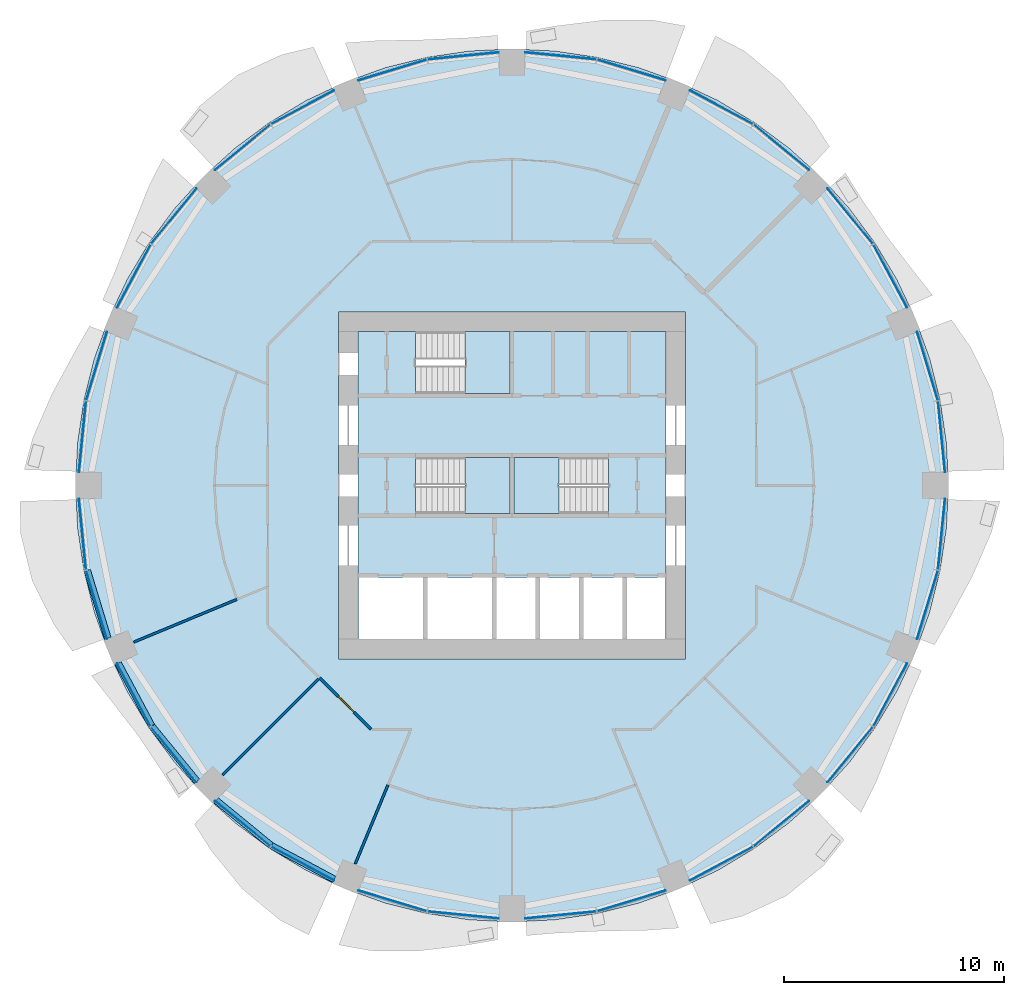
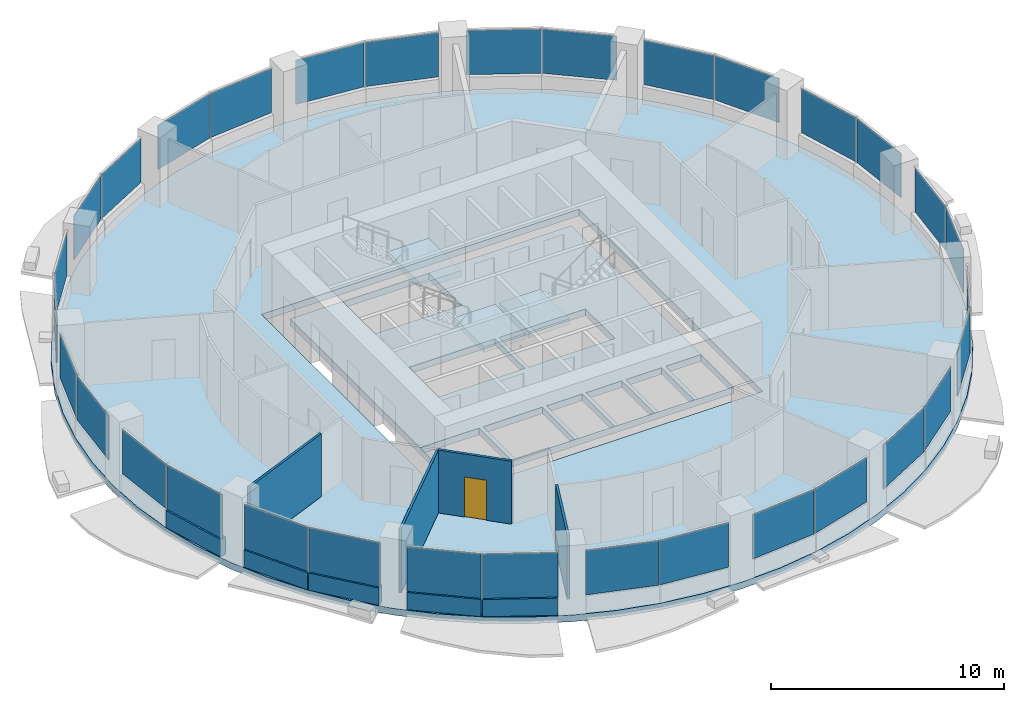
# One storey, part 7 of 15: 32 plates, 9 walls, 5 slabs, 1 door, 1 opening, 19 elements without a shape of their own.
"""IFC4 building model written with IfcOpenShell, lengths in metres."""

from ifc_helpers import new_model, si_unit, direction, frame, frame_2d, origin, origin_2d, place, context, subcontext, project, spatial, polyline, rectangle, outline, extrude, material, layer, layer_set, type_object, element, fill, aggregate, save


model = new_model("IFC4")

# Units and contexts
model_context = context("Model", 3, precision=1e-05, world=origin(), true_north=direction((0.0, 1.0)))
body_context = subcontext(model_context, "Body", "Model", "MODEL_VIEW")
ifc_project = project(units=[si_unit("LENGTHUNIT", "METRE"), si_unit("AREAUNIT", "SQUARE_METRE"), si_unit("VOLUMEUNIT", "CUBIC_METRE"), si_unit("PLANEANGLEUNIT", "RADIAN"), si_unit("MASSUNIT", "GRAM", prefix="KILO")], contexts=[model_context])

# Site, building, storey
site_placement = place(None, origin())
site = spatial("IfcSite", under=ifc_project, at=site_placement, CompositionType="ELEMENT")
building_placement = place(site_placement, origin())
building = spatial("IfcBuilding", under=site, at=building_placement, Name="Polderwave Tower", CompositionType="ELEMENT")
storey_placement = place(building_placement, frame((0.0, 0.0, 26.199951171875)))
storey = spatial("IfcBuildingStorey", under=building, at=storey_placement, Name="L06", CompositionType="ELEMENT", Elevation=26.199951171875)

# Slab
ifc_material_1 = material(Name="Concrete C40/50", Category="concrete")
ifc_layer_1 = layer(ifc_material_1, 0.35009765625)
ifc_layer_set_1 = layer_set([ifc_layer_1], Name="Core floor slab 350")
slab_type_1 = type_object("IfcSlabType", Name="Core floor slab 350", PredefinedType="FLOOR", material=ifc_layer_set_1)
slab_1_placement = place(storey_placement, frame((0.0, 0.0, -0.349853515625)))
element("IfcSlab", 1, at=slab_1_placement, inside=storey, type_object=slab_type_1, Name="L06 core floor", PredefinedType="FLOOR", context=body_context, shape_type="SweptSolid", body=[
    extrude(outline(polyline([(-6.97412109375, -6.97412109375), (6.97412109375, -6.97412109375), (6.97412109375, 6.97412109375), (-6.97412109375, 6.97412109375), (-6.97412109375, -6.97412109375)]), holes=[polyline([(-6.9541015625, -6.9541015625), (-4.037109375, -6.9541015625), (-4.037109375, -4.174072265625), (-6.9541015625, -4.174072265625), (-6.9541015625, -6.9541015625)]), polyline([(-3.8369140625, -6.9541015625), (-0.89990234375, -6.9541015625), (-0.89990234375, -4.174072265625), (-3.8369140625, -4.174072265625), (-3.8369140625, -6.9541015625)]), polyline([(-0.699951171875, -6.9541015625), (1.068603515625, -6.9541015625), (1.068603515625, -4.174072265625), (-0.699951171875, -4.174072265625), (-0.699951171875, -6.9541015625)]), polyline([(1.2685546875, -6.9541015625), (3.037109375, -6.9541015625), (3.037109375, -4.174072265625), (1.2685546875, -4.174072265625), (1.2685546875, -6.9541015625)]), polyline([(3.237060546875, -6.9541015625), (5.005615234375, -6.9541015625), (5.005615234375, -4.174072265625), (3.237060546875, -4.174072265625), (3.237060546875, -6.9541015625)]), polyline([(5.20556640625, -6.9541015625), (6.9541015625, -6.9541015625), (6.9541015625, -4.174072265625), (5.20556640625, -4.174072265625), (5.20556640625, -6.9541015625)]), polyline([(-4.37353515625, -1.2744140625), (-0.1005859375, -1.2744140625), (-0.1005859375, 1.2744140625), (-4.37353515625, 1.2744140625), (-4.37353515625, -1.2744140625)]), polyline([(0.1005859375, -1.2744140625), (4.37353515625, -1.2744140625), (4.37353515625, 1.2744140625), (0.1005859375, 1.2744140625), (0.1005859375, -1.2744140625)]), polyline([(-4.37353515625, 4.174560546875), (-0.1005859375, 4.174560546875), (-0.1005859375, 6.9541015625), (-4.37353515625, 6.9541015625), (-4.37353515625, 4.174560546875)])]), origin(), (0.0, 0.0, 1.0), 0.349853515625),
])

# Curtain wall, plates
ifc_material_2 = material(Name="Aluminium 6063-T6 and glass", Category="aluminium")
curtain_wall_type = type_object("IfcCurtainWallType", Name="Growing floor ribbon glazing wall", PredefinedType="NOTDEFINED", material=ifc_material_2)
curtain_wall_1_placement = place(storey_placement, origin())
curtain_wall_1 = element("IfcCurtainWall", 2, at=curtain_wall_1_placement, inside=storey, type_object=curtain_wall_type, Name="CW2 L06 00", PredefinedType="NOTDEFINED")
ifc_material_3 = material(Name="Glass, low-e laminated double glazing", Category="glass")
ifc_layer_2 = layer(ifc_material_3, 0.028076171875)
ifc_layer_set_2 = layer_set([ifc_layer_2], Name="Growing floor ribbon glazing glass panel 28 mm")
plate_type = type_object("IfcPlateType", Name="Growing floor ribbon glazing glass panel 28 mm", PredefinedType="CURTAIN_PANEL", material=ifc_layer_set_2)
plate_1_placement = place(storey_placement, frame((19.482421875, 2.20654296875, 0.89990234375), z_axis=(0.0, 0.0, 1.0), x_axis=(-0.098197778915, 0.995166918771, 0.0)))
plate_1 = element("IfcPlate", 3, at=plate_1_placement, type_object=plate_type, Name="CW2 panel 1", PredefinedType="CURTAIN_PANEL", context=body_context, shape_type="SweptSolid", body=[
    extrude(rectangle(XDim=3.228759765625, YDim=0.028076171875, at=origin_2d()), origin(), (0.0, 0.0, 1.0), 2.320068359375),
])
plate_2_placement = place(storey_placement, frame((18.843505859375, 5.4169921875, 0.89990234375), z_axis=(0.0, 0.0, 1.0), x_axis=(-0.290246262973, 0.956951987735, 0.0)))
plate_2 = element("IfcPlate", 4, at=plate_2_placement, type_object=plate_type, Name="CW2 panel 2", PredefinedType="CURTAIN_PANEL", context=body_context, shape_type="SweptSolid", body=[
    extrude(rectangle(XDim=3.229248046875, YDim=0.028076171875, at=origin_2d()), origin(), (0.0, 0.0, 1.0), 2.320068359375),
])
aggregate(curtain_wall_1, [plate_1, plate_2])

curtain_wall_2_placement = place(storey_placement, origin())
curtain_wall_2 = element("IfcCurtainWall", 5, at=curtain_wall_2_placement, inside=storey, type_object=curtain_wall_type, Name="CW2 L06 01", PredefinedType="NOTDEFINED")
plate_3_placement = place(storey_placement, frame((17.155029296875, 9.494873046875, 0.89990234375), z_axis=(0.0, 0.0, 1.0), x_axis=(-0.471352098176, 0.881945122752, 0.0)))
plate_3 = element("IfcPlate", 6, at=plate_3_placement, type_object=plate_type, Name="CW2 panel 1", PredefinedType="CURTAIN_PANEL", context=body_context, shape_type="SweptSolid", body=[
    extrude(rectangle(XDim=3.228759765625, YDim=0.028076171875, at=origin_2d()), origin(), (0.0, 0.0, 1.0), 2.320068359375),
])
plate_4_placement = place(storey_placement, frame((15.33642578125, 12.216064453125, 0.89990234375), z_axis=(0.0, 0.0, 1.0), x_axis=(-0.634524143374, 0.772903041445, 0.0)))
plate_4 = element("IfcPlate", 7, at=plate_4_placement, type_object=plate_type, Name="CW2 panel 2", PredefinedType="CURTAIN_PANEL", context=body_context, shape_type="SweptSolid", body=[
    extrude(rectangle(XDim=3.22900390625, YDim=0.028076171875, at=origin_2d()), origin(), (0.0, 0.0, 1.0), 2.320068359375),
])
aggregate(curtain_wall_2, [plate_3, plate_4])

curtain_wall_3_placement = place(storey_placement, origin())
curtain_wall_3 = element("IfcCurtainWall", 8, at=curtain_wall_3_placement, inside=storey, type_object=curtain_wall_type, Name="CW2 L06 02", PredefinedType="NOTDEFINED")
plate_5_placement = place(storey_placement, frame((12.216064453125, 15.33642578125, 0.89990234375), z_axis=(0.0, 0.0, 1.0), x_axis=(-0.772903041445, 0.634524143374, 0.0)))
plate_5 = element("IfcPlate", 9, at=plate_5_placement, type_object=plate_type, Name="CW2 panel 1", PredefinedType="CURTAIN_PANEL", context=body_context, shape_type="SweptSolid", body=[
    extrude(rectangle(XDim=3.22900390625, YDim=0.028076171875, at=origin_2d()), origin(), (0.0, 0.0, 1.0), 2.320068359375),
])
plate_6_placement = place(storey_placement, frame((9.494873046875, 17.155029296875, 0.89990234375), z_axis=(0.0, 0.0, 1.0), x_axis=(-0.881945122752, 0.471352098176, 0.0)))
plate_6 = element("IfcPlate", 10, at=plate_6_placement, type_object=plate_type, Name="CW2 panel 2", PredefinedType="CURTAIN_PANEL", context=body_context, shape_type="SweptSolid", body=[
    extrude(rectangle(XDim=3.228759765625, YDim=0.028076171875, at=origin_2d()), origin(), (0.0, 0.0, 1.0), 2.320068359375),
])
aggregate(curtain_wall_3, [plate_5, plate_6])

curtain_wall_4_placement = place(storey_placement, origin())
curtain_wall_4 = element("IfcCurtainWall", 11, at=curtain_wall_4_placement, inside=storey, type_object=curtain_wall_type, Name="CW2 L06 03", PredefinedType="NOTDEFINED")
plate_7_placement = place(storey_placement, frame((5.4169921875, 18.843505859375, 0.89990234375), z_axis=(0.0, 0.0, 1.0), x_axis=(-0.956951987735, 0.290246262973, 0.0)))
plate_7 = element("IfcPlate", 12, at=plate_7_placement, type_object=plate_type, Name="CW2 panel 1", PredefinedType="CURTAIN_PANEL", context=body_context, shape_type="SweptSolid", body=[
    extrude(rectangle(XDim=3.229248046875, YDim=0.028076171875, at=origin_2d()), origin(), (0.0, 0.0, 1.0), 2.320068359375),
])
plate_8_placement = place(storey_placement, frame((2.20654296875, 19.482421875, 0.89990234375), z_axis=(0.0, 0.0, 1.0), x_axis=(-0.995166918771, 0.098197778915, 0.0)))
plate_8 = element("IfcPlate", 13, at=plate_8_placement, type_object=plate_type, Name="CW2 panel 2", PredefinedType="CURTAIN_PANEL", context=body_context, shape_type="SweptSolid", body=[
    extrude(rectangle(XDim=3.228759765625, YDim=0.028076171875, at=origin_2d()), origin(), (0.0, 0.0, 1.0), 2.320068359375),
])
aggregate(curtain_wall_4, [plate_7, plate_8])

curtain_wall_5_placement = place(storey_placement, origin())
curtain_wall_5 = element("IfcCurtainWall", 14, at=curtain_wall_5_placement, inside=storey, type_object=curtain_wall_type, Name="CW2 L06 04", PredefinedType="NOTDEFINED")
plate_9_placement = place(storey_placement, frame((-2.20654296875, 19.482421875, 0.89990234375), z_axis=(0.0, 0.0, 1.0), x_axis=(-0.995166918771, -0.098197778915, 0.0)))
plate_9 = element("IfcPlate", 15, at=plate_9_placement, type_object=plate_type, Name="CW2 panel 1", PredefinedType="CURTAIN_PANEL", context=body_context, shape_type="SweptSolid", body=[
    extrude(rectangle(XDim=3.228759765625, YDim=0.028076171875, at=origin_2d()), origin(), (0.0, 0.0, 1.0), 2.320068359375),
])
plate_10_placement = place(storey_placement, frame((-5.4169921875, 18.843505859375, 0.89990234375), z_axis=(0.0, 0.0, 1.0), x_axis=(-0.956951987735, -0.290246262973, 0.0)))
plate_10 = element("IfcPlate", 16, at=plate_10_placement, type_object=plate_type, Name="CW2 panel 2", PredefinedType="CURTAIN_PANEL", context=body_context, shape_type="SweptSolid", body=[
    extrude(rectangle(XDim=3.229248046875, YDim=0.028076171875, at=origin_2d()), origin(), (0.0, 0.0, 1.0), 2.320068359375),
])
aggregate(curtain_wall_5, [plate_9, plate_10])

curtain_wall_6_placement = place(storey_placement, origin())
curtain_wall_6 = element("IfcCurtainWall", 17, at=curtain_wall_6_placement, inside=storey, type_object=curtain_wall_type, Name="CW2 L06 05", PredefinedType="NOTDEFINED")
plate_11_placement = place(storey_placement, frame((-9.494873046875, 17.155029296875, 0.89990234375), z_axis=(0.0, 0.0, 1.0), x_axis=(-0.881945122752, -0.471352098176, 0.0)))
plate_11 = element("IfcPlate", 18, at=plate_11_placement, type_object=plate_type, Name="CW2 panel 1", PredefinedType="CURTAIN_PANEL", context=body_context, shape_type="SweptSolid", body=[
    extrude(rectangle(XDim=3.228759765625, YDim=0.028076171875, at=origin_2d()), origin(), (0.0, 0.0, 1.0), 2.320068359375),
])
plate_12_placement = place(storey_placement, frame((-12.216064453125, 15.33642578125, 0.89990234375), z_axis=(0.0, 0.0, 1.0), x_axis=(-0.772903041445, -0.634524143374, 0.0)))
plate_12 = element("IfcPlate", 19, at=plate_12_placement, type_object=plate_type, Name="CW2 panel 2", PredefinedType="CURTAIN_PANEL", context=body_context, shape_type="SweptSolid", body=[
    extrude(rectangle(XDim=3.22900390625, YDim=0.028076171875, at=origin_2d()), origin(), (0.0, 0.0, 1.0), 2.320068359375),
])
aggregate(curtain_wall_6, [plate_11, plate_12])

curtain_wall_7_placement = place(storey_placement, origin())
curtain_wall_7 = element("IfcCurtainWall", 20, at=curtain_wall_7_placement, inside=storey, type_object=curtain_wall_type, Name="CW2 L06 06", PredefinedType="NOTDEFINED")
plate_13_placement = place(storey_placement, frame((-15.33642578125, 12.216064453125, 0.89990234375), z_axis=(0.0, 0.0, 1.0), x_axis=(-0.634524143374, -0.772903041445, 0.0)))
plate_13 = element("IfcPlate", 21, at=plate_13_placement, type_object=plate_type, Name="CW2 panel 1", PredefinedType="CURTAIN_PANEL", context=body_context, shape_type="SweptSolid", body=[
    extrude(rectangle(XDim=3.22900390625, YDim=0.028076171875, at=origin_2d()), origin(), (0.0, 0.0, 1.0), 2.320068359375),
])
plate_14_placement = place(storey_placement, frame((-17.155029296875, 9.494873046875, 0.89990234375), z_axis=(0.0, 0.0, 1.0), x_axis=(-0.471352098176, -0.881945122752, 0.0)))
plate_14 = element("IfcPlate", 22, at=plate_14_placement, type_object=plate_type, Name="CW2 panel 2", PredefinedType="CURTAIN_PANEL", context=body_context, shape_type="SweptSolid", body=[
    extrude(rectangle(XDim=3.228759765625, YDim=0.028076171875, at=origin_2d()), origin(), (0.0, 0.0, 1.0), 2.320068359375),
])
aggregate(curtain_wall_7, [plate_13, plate_14])

curtain_wall_8_placement = place(storey_placement, origin())
curtain_wall_8 = element("IfcCurtainWall", 23, at=curtain_wall_8_placement, inside=storey, type_object=curtain_wall_type, Name="CW2 L06 07", PredefinedType="NOTDEFINED")
plate_15_placement = place(storey_placement, frame((-18.843505859375, 5.4169921875, 0.89990234375), z_axis=(0.0, 0.0, 1.0), x_axis=(-0.290246262973, -0.956951987735, 0.0)))
plate_15 = element("IfcPlate", 24, at=plate_15_placement, type_object=plate_type, Name="CW2 panel 1", PredefinedType="CURTAIN_PANEL", context=body_context, shape_type="SweptSolid", body=[
    extrude(rectangle(XDim=3.229248046875, YDim=0.028076171875, at=origin_2d()), origin(), (0.0, 0.0, 1.0), 2.320068359375),
])
plate_16_placement = place(storey_placement, frame((-19.482421875, 2.20654296875, 0.89990234375), z_axis=(0.0, 0.0, 1.0), x_axis=(-0.098197778915, -0.995166918771, 0.0)))
plate_16 = element("IfcPlate", 25, at=plate_16_placement, type_object=plate_type, Name="CW2 panel 2", PredefinedType="CURTAIN_PANEL", context=body_context, shape_type="SweptSolid", body=[
    extrude(rectangle(XDim=3.228759765625, YDim=0.028076171875, at=origin_2d()), origin(), (0.0, 0.0, 1.0), 2.320068359375),
])
aggregate(curtain_wall_8, [plate_15, plate_16])

curtain_wall_9_placement = place(storey_placement, origin())
curtain_wall_9 = element("IfcCurtainWall", 26, at=curtain_wall_9_placement, inside=storey, type_object=curtain_wall_type, Name="CW2 L06 08", PredefinedType="NOTDEFINED")
plate_17_placement = place(storey_placement, frame((-19.482421875, -2.20654296875, 0.89990234375), z_axis=(0.0, 0.0, 1.0), x_axis=(0.098197778915, -0.995166918771, 0.0)))
plate_17 = element("IfcPlate", 27, at=plate_17_placement, type_object=plate_type, Name="CW2 panel 1", PredefinedType="CURTAIN_PANEL", context=body_context, shape_type="SweptSolid", body=[
    extrude(rectangle(XDim=3.228759765625, YDim=0.028076171875, at=origin_2d()), origin(), (0.0, 0.0, 1.0), 2.320068359375),
])
plate_18_placement = place(storey_placement, frame((-18.843505859375, -5.4169921875, 0.89990234375), z_axis=(0.0, 0.0, 1.0), x_axis=(0.290246262973, -0.956951987735, 0.0)))
plate_18 = element("IfcPlate", 28, at=plate_18_placement, type_object=plate_type, Name="CW2 panel 2", PredefinedType="CURTAIN_PANEL", context=body_context, shape_type="SweptSolid", body=[
    extrude(rectangle(XDim=3.229248046875, YDim=0.028076171875, at=origin_2d()), origin(), (0.0, 0.0, 1.0), 2.320068359375),
])
aggregate(curtain_wall_9, [plate_17, plate_18])

curtain_wall_10_placement = place(storey_placement, origin())
curtain_wall_10 = element("IfcCurtainWall", 29, at=curtain_wall_10_placement, inside=storey, type_object=curtain_wall_type, Name="CW2 L06 09", PredefinedType="NOTDEFINED")
plate_19_placement = place(storey_placement, frame((-17.155029296875, -9.494873046875, 0.89990234375), z_axis=(0.0, 0.0, 1.0), x_axis=(0.471352098176, -0.881945122752, 0.0)))
plate_19 = element("IfcPlate", 30, at=plate_19_placement, type_object=plate_type, Name="CW2 panel 1", PredefinedType="CURTAIN_PANEL", context=body_context, shape_type="SweptSolid", body=[
    extrude(rectangle(XDim=3.228759765625, YDim=0.028076171875, at=origin_2d()), origin(), (0.0, 0.0, 1.0), 2.320068359375),
])
plate_20_placement = place(storey_placement, frame((-15.33642578125, -12.216064453125, 0.89990234375), z_axis=(0.0, 0.0, 1.0), x_axis=(0.634524143374, -0.772903041445, 0.0)))
plate_20 = element("IfcPlate", 31, at=plate_20_placement, type_object=plate_type, Name="CW2 panel 2", PredefinedType="CURTAIN_PANEL", context=body_context, shape_type="SweptSolid", body=[
    extrude(rectangle(XDim=3.22900390625, YDim=0.028076171875, at=origin_2d()), origin(), (0.0, 0.0, 1.0), 2.320068359375),
])
aggregate(curtain_wall_10, [plate_19, plate_20])

curtain_wall_11_placement = place(storey_placement, origin())
curtain_wall_11 = element("IfcCurtainWall", 32, at=curtain_wall_11_placement, inside=storey, type_object=curtain_wall_type, Name="CW2 L06 10", PredefinedType="NOTDEFINED")
plate_21_placement = place(storey_placement, frame((-12.216064453125, -15.33642578125, 0.89990234375), z_axis=(0.0, 0.0, 1.0), x_axis=(0.772903041445, -0.634524143374, 0.0)))
plate_21 = element("IfcPlate", 33, at=plate_21_placement, type_object=plate_type, Name="CW2 panel 1", PredefinedType="CURTAIN_PANEL", context=body_context, shape_type="SweptSolid", body=[
    extrude(rectangle(XDim=3.22900390625, YDim=0.028076171875, at=origin_2d()), origin(), (0.0, 0.0, 1.0), 2.320068359375),
])
plate_22_placement = place(storey_placement, frame((-9.494873046875, -17.155029296875, 0.89990234375), z_axis=(0.0, 0.0, 1.0), x_axis=(0.881945122752, -0.471352098176, 0.0)))
plate_22 = element("IfcPlate", 34, at=plate_22_placement, type_object=plate_type, Name="CW2 panel 2", PredefinedType="CURTAIN_PANEL", context=body_context, shape_type="SweptSolid", body=[
    extrude(rectangle(XDim=3.228759765625, YDim=0.028076171875, at=origin_2d()), origin(), (0.0, 0.0, 1.0), 2.320068359375),
])
aggregate(curtain_wall_11, [plate_21, plate_22])

curtain_wall_12_placement = place(storey_placement, origin())
curtain_wall_12 = element("IfcCurtainWall", 35, at=curtain_wall_12_placement, inside=storey, type_object=curtain_wall_type, Name="CW2 L06 11", PredefinedType="NOTDEFINED")
plate_23_placement = place(storey_placement, frame((-5.4169921875, -18.843505859375, 0.89990234375), z_axis=(0.0, 0.0, 1.0), x_axis=(0.956951987735, -0.290246262973, 0.0)))
plate_23 = element("IfcPlate", 36, at=plate_23_placement, type_object=plate_type, Name="CW2 panel 1", PredefinedType="CURTAIN_PANEL", context=body_context, shape_type="SweptSolid", body=[
    extrude(rectangle(XDim=3.229248046875, YDim=0.028076171875, at=origin_2d()), origin(), (0.0, 0.0, 1.0), 2.320068359375),
])
plate_24_placement = place(storey_placement, frame((-2.20654296875, -19.482421875, 0.89990234375), z_axis=(0.0, 0.0, 1.0), x_axis=(0.995166918771, -0.098197778915, 0.0)))
plate_24 = element("IfcPlate", 37, at=plate_24_placement, type_object=plate_type, Name="CW2 panel 2", PredefinedType="CURTAIN_PANEL", context=body_context, shape_type="SweptSolid", body=[
    extrude(rectangle(XDim=3.228759765625, YDim=0.028076171875, at=origin_2d()), origin(), (0.0, 0.0, 1.0), 2.320068359375),
])
aggregate(curtain_wall_12, [plate_23, plate_24])

curtain_wall_13_placement = place(storey_placement, origin())
curtain_wall_13 = element("IfcCurtainWall", 38, at=curtain_wall_13_placement, inside=storey, type_object=curtain_wall_type, Name="CW2 L06 12", PredefinedType="NOTDEFINED")
plate_25_placement = place(storey_placement, frame((2.20654296875, -19.482421875, 0.89990234375), z_axis=(0.0, 0.0, 1.0), x_axis=(0.995166918771, 0.098197778915, 0.0)))
plate_25 = element("IfcPlate", 39, at=plate_25_placement, type_object=plate_type, Name="CW2 panel 1", PredefinedType="CURTAIN_PANEL", context=body_context, shape_type="SweptSolid", body=[
    extrude(rectangle(XDim=3.228759765625, YDim=0.028076171875, at=origin_2d()), origin(), (0.0, 0.0, 1.0), 2.320068359375),
])
plate_26_placement = place(storey_placement, frame((5.4169921875, -18.843505859375, 0.89990234375), z_axis=(0.0, 0.0, 1.0), x_axis=(0.956951987735, 0.290246262973, 0.0)))
plate_26 = element("IfcPlate", 40, at=plate_26_placement, type_object=plate_type, Name="CW2 panel 2", PredefinedType="CURTAIN_PANEL", context=body_context, shape_type="SweptSolid", body=[
    extrude(rectangle(XDim=3.229248046875, YDim=0.028076171875, at=origin_2d()), origin(), (0.0, 0.0, 1.0), 2.320068359375),
])
aggregate(curtain_wall_13, [plate_25, plate_26])

curtain_wall_14_placement = place(storey_placement, origin())
curtain_wall_14 = element("IfcCurtainWall", 41, at=curtain_wall_14_placement, inside=storey, type_object=curtain_wall_type, Name="CW2 L06 13", PredefinedType="NOTDEFINED")
plate_27_placement = place(storey_placement, frame((9.494873046875, -17.155029296875, 0.89990234375), z_axis=(0.0, 0.0, 1.0), x_axis=(0.881945122752, 0.471352098176, 0.0)))
plate_27 = element("IfcPlate", 42, at=plate_27_placement, type_object=plate_type, Name="CW2 panel 1", PredefinedType="CURTAIN_PANEL", context=body_context, shape_type="SweptSolid", body=[
    extrude(rectangle(XDim=3.228759765625, YDim=0.028076171875, at=origin_2d()), origin(), (0.0, 0.0, 1.0), 2.320068359375),
])
plate_28_placement = place(storey_placement, frame((12.216064453125, -15.33642578125, 0.89990234375), z_axis=(0.0, 0.0, 1.0), x_axis=(0.772903041445, 0.634524143374, 0.0)))
plate_28 = element("IfcPlate", 43, at=plate_28_placement, type_object=plate_type, Name="CW2 panel 2", PredefinedType="CURTAIN_PANEL", context=body_context, shape_type="SweptSolid", body=[
    extrude(rectangle(XDim=3.22900390625, YDim=0.028076171875, at=origin_2d()), origin(), (0.0, 0.0, 1.0), 2.320068359375),
])
aggregate(curtain_wall_14, [plate_27, plate_28])

curtain_wall_15_placement = place(storey_placement, origin())
curtain_wall_15 = element("IfcCurtainWall", 44, at=curtain_wall_15_placement, inside=storey, type_object=curtain_wall_type, Name="CW2 L06 14", PredefinedType="NOTDEFINED")
plate_29_placement = place(storey_placement, frame((15.33642578125, -12.216064453125, 0.89990234375), z_axis=(0.0, 0.0, 1.0), x_axis=(0.634524143374, 0.772903041445, 0.0)))
plate_29 = element("IfcPlate", 45, at=plate_29_placement, type_object=plate_type, Name="CW2 panel 1", PredefinedType="CURTAIN_PANEL", context=body_context, shape_type="SweptSolid", body=[
    extrude(rectangle(XDim=3.22900390625, YDim=0.028076171875, at=origin_2d()), origin(), (0.0, 0.0, 1.0), 2.320068359375),
])
plate_30_placement = place(storey_placement, frame((17.155029296875, -9.494873046875, 0.89990234375), z_axis=(0.0, 0.0, 1.0), x_axis=(0.471352098176, 0.881945122752, 0.0)))
plate_30 = element("IfcPlate", 46, at=plate_30_placement, type_object=plate_type, Name="CW2 panel 2", PredefinedType="CURTAIN_PANEL", context=body_context, shape_type="SweptSolid", body=[
    extrude(rectangle(XDim=3.228759765625, YDim=0.028076171875, at=origin_2d()), origin(), (0.0, 0.0, 1.0), 2.320068359375),
])
aggregate(curtain_wall_15, [plate_29, plate_30])

curtain_wall_16_placement = place(storey_placement, origin())
curtain_wall_16 = element("IfcCurtainWall", 47, at=curtain_wall_16_placement, inside=storey, type_object=curtain_wall_type, Name="CW2 L06 15", PredefinedType="NOTDEFINED")
plate_31_placement = place(storey_placement, frame((18.843505859375, -5.4169921875, 0.89990234375), z_axis=(0.0, 0.0, 1.0), x_axis=(0.290246262973, 0.956951987735, 0.0)))
plate_31 = element("IfcPlate", 48, at=plate_31_placement, type_object=plate_type, Name="CW2 panel 1", PredefinedType="CURTAIN_PANEL", context=body_context, shape_type="SweptSolid", body=[
    extrude(rectangle(XDim=3.229248046875, YDim=0.028076171875, at=origin_2d()), origin(), (0.0, 0.0, 1.0), 2.320068359375),
])
plate_32_placement = place(storey_placement, frame((19.482421875, -2.20654296875, 0.89990234375), z_axis=(0.0, 0.0, 1.0), x_axis=(0.098197778915, 0.995166918771, 0.0)))
plate_32 = element("IfcPlate", 49, at=plate_32_placement, type_object=plate_type, Name="CW2 panel 2", PredefinedType="CURTAIN_PANEL", context=body_context, shape_type="SweptSolid", body=[
    extrude(rectangle(XDim=3.228759765625, YDim=0.028076171875, at=origin_2d()), origin(), (0.0, 0.0, 1.0), 2.320068359375),
])
aggregate(curtain_wall_16, [plate_31, plate_32])

# Slab
ifc_layer_3 = layer(ifc_material_1, 0.35009765625)
ifc_layer_set_3 = layer_set([ifc_layer_3], Name="PT FLOOR SLAB 350 C40/50")
slab_type_2 = type_object("IfcSlabType", Name="PT FLOOR SLAB 350 C40/50", PredefinedType="FLOOR", material=ifc_layer_set_3)
slab_2_placement = place(storey_placement, frame((0.0, 0.0, -0.349853515625)))
element("IfcSlab", 50, at=slab_2_placement, inside=storey, type_object=slab_type_2, Name="ST-SLAB-L06", PredefinedType="FLOOR", context=body_context, shape_type="SweptSolid", body=[
    extrude(outline(polyline([(19.800048828125, 0.0), (19.70458984375, 1.940673828125), (19.41943359375, 3.86279296875), (18.947509765625, 5.74755859375), (18.292724609375, 7.5771484375), (17.4619140625, 9.333740234375), (16.463134765625, 11.000244140625), (15.3056640625, 12.56103515625), (14.000732421875, 14.000732421875), (12.56103515625, 15.3056640625), (11.000244140625, 16.463134765625), (9.333740234375, 17.4619140625), (7.5771484375, 18.292724609375), (5.74755859375, 18.947509765625), (3.86279296875, 19.41943359375), (1.940673828125, 19.70458984375), (0.0, 19.800048828125), (-1.940673828125, 19.70458984375), (-3.86279296875, 19.41943359375), (-5.74755859375, 18.947509765625), (-7.5771484375, 18.292724609375), (-9.333740234375, 17.4619140625), (-11.000244140625, 16.463134765625), (-12.56103515625, 15.3056640625), (-14.000732421875, 14.000732421875), (-15.3056640625, 12.56103515625), (-16.463134765625, 11.000244140625), (-17.4619140625, 9.333740234375), (-18.292724609375, 7.5771484375), (-18.947509765625, 5.74755859375), (-19.41943359375, 3.86279296875), (-19.70458984375, 1.940673828125), (-19.800048828125, 0.0), (-19.70458984375, -1.940673828125), (-19.41943359375, -3.86279296875), (-18.947509765625, -5.74755859375), (-18.292724609375, -7.5771484375), (-17.4619140625, -9.333740234375), (-16.463134765625, -11.000244140625), (-15.3056640625, -12.56103515625), (-14.000732421875, -14.000732421875), (-12.56103515625, -15.3056640625), (-11.000244140625, -16.463134765625), (-9.333740234375, -17.4619140625), (-7.5771484375, -18.292724609375), (-5.74755859375, -18.947509765625), (-3.86279296875, -19.41943359375), (-1.940673828125, -19.70458984375), (0.0, -19.800048828125), (1.940673828125, -19.70458984375), (3.86279296875, -19.41943359375), (5.74755859375, -18.947509765625), (7.5771484375, -18.292724609375), (9.333740234375, -17.4619140625), (11.000244140625, -16.463134765625), (12.56103515625, -15.3056640625), (14.000732421875, -14.000732421875), (15.3056640625, -12.56103515625), (16.463134765625, -11.000244140625), (17.4619140625, -9.333740234375), (18.292724609375, -7.5771484375), (18.947509765625, -5.74755859375), (19.41943359375, -3.86279296875), (19.70458984375, -1.940673828125), (19.800048828125, 0.0)]), holes=[polyline([(-7.8740234375, -7.8740234375), (7.8740234375, -7.8740234375), (7.8740234375, 7.8740234375), (-7.8740234375, 7.8740234375), (-7.8740234375, -7.8740234375)])]), origin(), (0.0, 0.0, 1.0), 0.349853515625),
])

# Stair, slab
stair_type = type_object("IfcStairType", Name="Exit stair 1200 x 20 risers", PredefinedType="HALF_TURN_STAIR", material=ifc_material_1)
stair_1_placement = place(storey_placement, origin())
stair_1 = element("IfcStair", 51, at=stair_1_placement, inside=storey, type_object=stair_type, Name="L06 Exit stair A", PredefinedType="HALF_TURN_STAIR")
ifc_layer_4 = layer(ifc_material_1, 0.300048828125)
ifc_layer_set_4 = layer_set([ifc_layer_4], Name="Stair landing 300")
slab_type_3 = type_object("IfcSlabType", Name="Stair landing 300", PredefinedType="LANDING", material=ifc_layer_set_4)
slab_3_placement = place(storey_placement, frame((0.0, 0.0, 1.525146484375)))
slab_3 = element("IfcSlab", 52, at=slab_3_placement, type_object=slab_type_3, Name="ST-A landing 1", PredefinedType="LANDING", context=body_context, shape_type="SweptSolid", body=[
    extrude(outline(polyline([(-2.1240234375, -1.27490234375), (-0.10009765625, -1.27490234375), (-0.10009765625, 1.27490234375), (-2.1240234375, 1.27490234375), (-2.1240234375, -1.27490234375)])), origin(), (0.0, 0.0, 1.0), 0.2998046875),
])
aggregate(stair_1, [slab_3])

stair_2_placement = place(storey_placement, origin())
stair_2 = element("IfcStair", 53, at=stair_2_placement, inside=storey, type_object=stair_type, Name="L06 Exit stair B", PredefinedType="HALF_TURN_STAIR")
slab_4_placement = place(storey_placement, frame((0.0, 0.0, 1.525146484375)))
slab_4 = element("IfcSlab", 54, at=slab_4_placement, type_object=slab_type_3, Name="ST-B landing 1", PredefinedType="LANDING", context=body_context, shape_type="SweptSolid", body=[
    extrude(outline(polyline([(2.1240234375, 1.27490234375), (0.10009765625, 1.27490234375), (0.10009765625, -1.27490234375), (2.1240234375, -1.27490234375), (2.1240234375, 1.27490234375)])), origin(), (0.0, 0.0, 1.0), 0.2998046875),
])
aggregate(stair_2, [slab_4])

stair_3_placement = place(storey_placement, origin())
stair_3 = element("IfcStair", 55, at=stair_3_placement, inside=storey, type_object=stair_type, Name="L06 Exit stair C", PredefinedType="HALF_TURN_STAIR")
slab_5_placement = place(storey_placement, frame((0.0, 0.0, 1.525146484375)))
slab_5 = element("IfcSlab", 56, at=slab_5_placement, type_object=slab_type_3, Name="ST-C landing 1", PredefinedType="LANDING", context=body_context, shape_type="SweptSolid", body=[
    extrude(outline(polyline([(-2.1240234375, 4.174072265625), (-0.10009765625, 4.174072265625), (-0.10009765625, 6.97412109375), (-2.1240234375, 6.97412109375), (-2.1240234375, 4.174072265625)])), origin(), (0.0, 0.0, 1.0), 0.2998046875),
])
aggregate(stair_3, [slab_5])

# Walls
ifc_material_4 = material(Name="Concrete C50/60 (board-marked)", Category="concrete")
ifc_layer_5 = layer(ifc_material_4, 0.300048828125)
ifc_layer_set_5 = layer_set([ifc_layer_5], Name="Concrete spandrel upstand C50/60")
wall_type_1 = type_object("IfcWallType", Name="Concrete spandrel upstand C50/60", PredefinedType="SOLIDWALL", material=ifc_layer_set_5)
wall_1_placement = place(storey_placement, frame((-19.267578125, -3.847412109375, 0.0), z_axis=(0.0, 0.0, 1.0), x_axis=(0.290301899131, -0.956935111364, 0.0)))
element("IfcWall", 57, at=wall_1_placement, inside=storey, type_object=wall_type_1, Name="Spandrel L06 9b", PredefinedType="SOLIDWALL", context=body_context, shape_type="SweptSolid", body=[
    extrude(rectangle(XDim=3.220947265625, YDim=0.300048828125, at=frame_2d((1.6103515625, 0.0))), origin(), (0.0, 0.0, 1.0), 0.900146484375),
])
wall_2_placement = place(storey_placement, frame((-17.86279296875, -8.063232421875, 0.0), z_axis=(0.0, 0.0, 1.0), x_axis=(0.471217656413, -0.882016961449, 0.0)))
element("IfcWall", 58, at=wall_2_placement, inside=storey, type_object=wall_type_1, Name="Spandrel L06 10a", PredefinedType="SOLIDWALL", context=body_context, shape_type="SweptSolid", body=[
    extrude(rectangle(XDim=3.220458984375, YDim=0.300048828125, at=frame_2d((1.6103515625, 0.0))), origin(), (0.0, 0.0, 1.0), 0.900146484375),
])
for number, where, z_axis, x_axis, name in (
    (59, (-16.32861328125, -10.9287109375, 0.0), (0.0, 0.0, 1.0), (0.634380496993, -0.773020947345, 0.0), "Spandrel L06 10b"),
    (60, (-13.41845703125, -14.285400390625, 0.0), (0.0, 0.0, 1.0), (0.773020947345, -0.634380496993, 0.0), "Spandrel L06 11a"),
):
    element("IfcWall", number, at=place(storey_placement, frame(where, z_axis=z_axis, x_axis=x_axis)), inside=storey, type_object=wall_type_1, Name=name, PredefinedType="SOLIDWALL", context=body_context, shape_type="SweptSolid", body=[
        extrude(rectangle(XDim=3.220703125, YDim=0.300048828125, at=frame_2d((1.6103515625, 0.0))), origin(), (0.0, 0.0, 1.0), 0.900146484375),
    ])
wall_3_placement = place(storey_placement, frame((-10.90380859375, -16.34521484375, 0.0), z_axis=(0.0, 0.0, 1.0), x_axis=(0.882016961449, -0.471217656413, 0.0)))
element("IfcWall", 61, at=wall_3_placement, inside=storey, type_object=wall_type_1, Name="Spandrel L06 11b", PredefinedType="SOLIDWALL", context=body_context, shape_type="SweptSolid", body=[
    extrude(rectangle(XDim=3.220458984375, YDim=0.300048828125, at=frame_2d((1.6103515625, 0.0))), origin(), (0.0, 0.0, 1.0), 0.900146484375),
])

# Wall, opening, door
ifc_material_5 = material(Name="Fire-resisting board on steel studs", Category="steel")
ifc_layer_6 = layer(ifc_material_5, 0.125)
ifc_layer_set_6 = layer_set([ifc_layer_6], Name="Corridor wall 125 mm EI 60")
wall_type_2 = type_object("IfcWallType", Name="Corridor wall 125 mm EI 60", PredefinedType="PARTITIONING", material=ifc_layer_set_6)
wall_4_placement = place(storey_placement, frame((-6.389404296875, -11.0556640625, 0.0), z_axis=(0.0, 0.0, 1.0), x_axis=(-0.707069784102, 0.707143776336, 0.0)))
wall_4 = element("IfcWall", 62, at=wall_4_placement, inside=storey, type_object=wall_type_2, Name="IN-L06-W018", PredefinedType="PARTITIONING", context=body_context, shape_type="SweptSolid", body=[
    extrude(rectangle(XDim=3.299560546875, YDim=0.125, at=frame_2d((1.64990234375, 0.0))), origin(), (0.0, 0.0, 1.0), 3.300048828125),
])
opening_placement = place(wall_4_placement, frame((1.10009765625, 0.0, 0.0)))
opening = element("IfcOpeningElement", 63, at=opening_placement, cuts=wall_4, Name="Opening L06-D60", PredefinedType="OPENING", context=body_context, shape_type="SweptSolid", body=[
    extrude(rectangle(XDim=1.0, YDim=2.10009765625, at=frame_2d((0.5, 1.050048828125))), frame((0.0, 0.072509765625, 0.0), z_axis=(0.0, -1.0, 0.0), x_axis=(1.0, 0.0, 0.0)), (0.0, 0.0, 1.0), 0.14501953125),
])
ifc_material_6 = material(Name="Timber fire door leaf", Category="wood")
door_type = type_object("IfcDoorType", Name="Fire door FD30S 1000 x 2100", OperationType="NOTDEFINED", PredefinedType="DOOR", material=ifc_material_6)
door_placement = place(opening_placement, origin())
door = element("IfcDoor", 64, at=door_placement, inside=storey, type_object=door_type, Name="Door L06-D60", OperationType="SINGLE_SWING_LEFT", OverallHeight=2.10009765625, OverallWidth=1.0, PredefinedType="DOOR", context=body_context, shape_type="SweptSolid", body=[
    extrude(rectangle(XDim=1.0, YDim=2.10009765625, at=frame_2d((0.5, 1.050048828125))), frame((0.0, 0.02490234375, 0.0), z_axis=(0.0, -1.0, 0.0), x_axis=(1.0, 0.0, 0.0)), (0.0, 0.0, 1.0), 0.050048828125),
])
fill(opening, door)

# Walls
ifc_material_7 = material(Name="Acoustic double plasterboard on steel studs", Category="steel")
ifc_layer_7 = layer(ifc_material_7, 0.110107421875)
ifc_layer_set_7 = layer_set([ifc_layer_7], Name="Partition 110 mm acoustic double board")
wall_type_3 = type_object("IfcWallType", Name="Partition 110 mm acoustic double board", PredefinedType="PARTITIONING", material=ifc_layer_set_7)
wall_5_placement = place(storey_placement, frame((-12.472412109375, -5.166259765625, 0.0), z_axis=(0.0, 0.0, 1.0), x_axis=(-0.923881258966, -0.382679264308, 0.0)))
element("IfcWall", 65, at=wall_5_placement, inside=storey, type_object=wall_type_3, Name="IN-L06-W053", PredefinedType="PARTITIONING", context=body_context, shape_type="SweptSolid", body=[
    extrude(rectangle(XDim=5.070068359375, YDim=0.110107421875, at=frame_2d((2.53515625, 0.0))), origin(), (0.0, 0.0, 1.0), 3.300048828125),
])
wall_6_placement = place(storey_placement, frame((-13.131103515625, -13.131103515625, 0.0), z_axis=(0.0, 0.0, 1.0), x_axis=(0.707106781187, 0.707106781187, 0.0)))
element("IfcWall", 66, at=wall_6_placement, inside=storey, type_object=wall_type_3, Name="IN-L06-W055", PredefinedType="PARTITIONING", context=body_context, shape_type="SweptSolid", body=[
    extrude(rectangle(XDim=6.17236328125, YDim=0.110107421875, at=frame_2d((3.086181640625, 0.0))), origin(), (0.0, 0.0, 1.0), 3.300048828125),
])
wall_7_placement = place(storey_placement, frame((-5.62548828125, -13.5810546875, 0.0), z_axis=(0.0, 0.0, 1.0), x_axis=(-0.382674944996, -0.923883048049, 0.0)))
element("IfcWall", 67, at=wall_7_placement, inside=storey, type_object=wall_type_3, Name="IN-L06-W056", PredefinedType="PARTITIONING", context=body_context, shape_type="SweptSolid", body=[
    extrude(rectangle(XDim=3.8701171875, YDim=0.110107421875, at=frame_2d((1.93505859375, 0.0))), origin(), (0.0, 0.0, 1.0), 3.300048828125),
])

save(model, "model.ifc")
